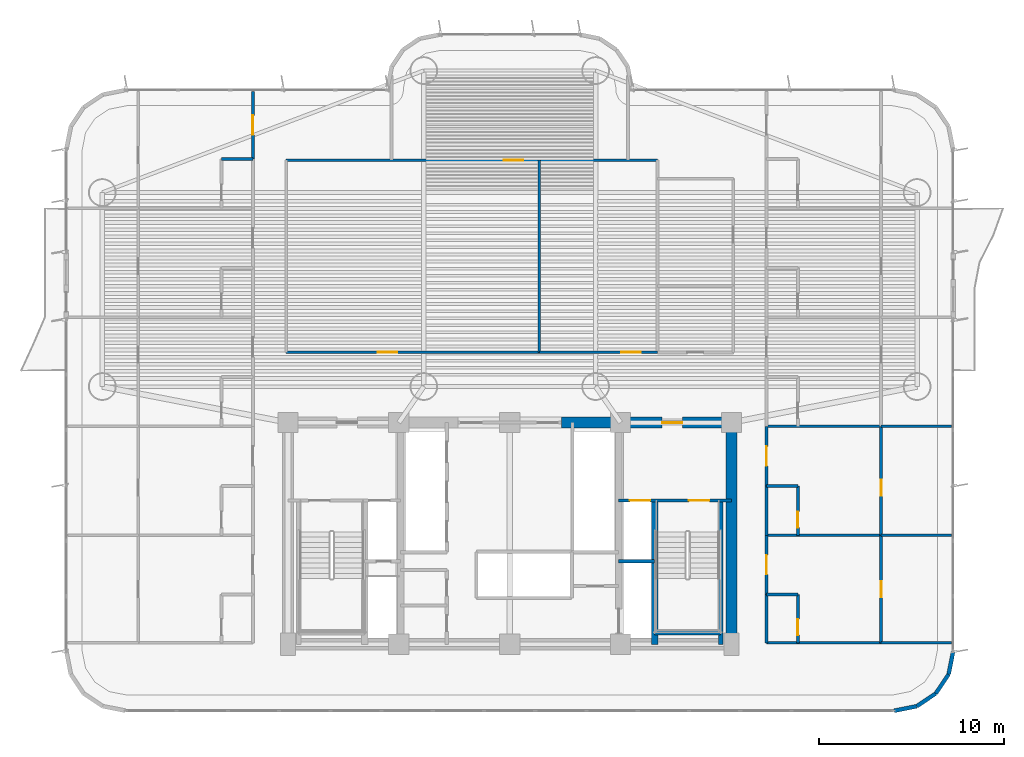
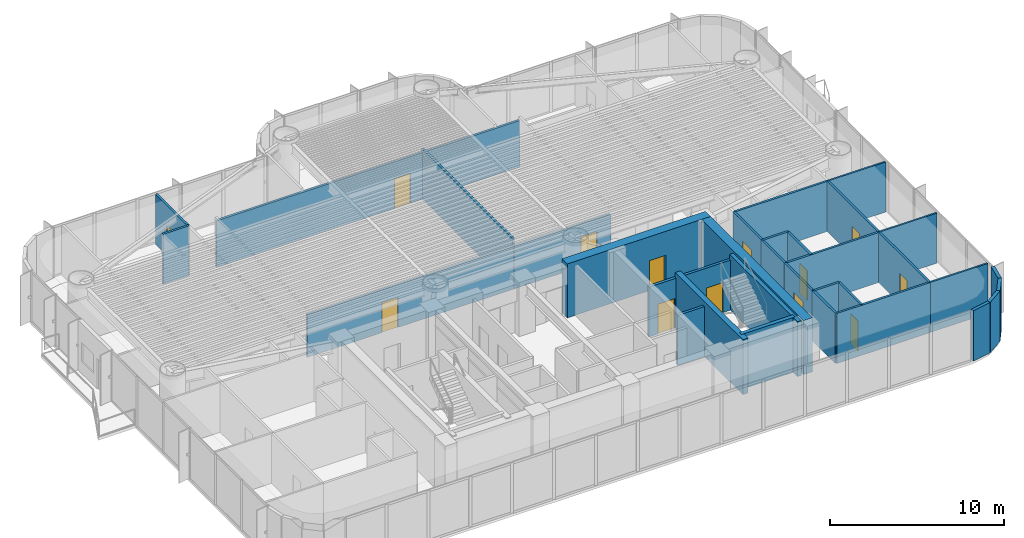
# One storey, part 12 of 18: 33 walls, 13 doors, 13 openings.
"""IFC4 building model written with IfcOpenShell, lengths in metres."""

from ifc_helpers import new_model, si_unit, direction, frame, frame_2d, origin, origin_2d, place, context, subcontext, project, spatial, rectangle, extrude, source, transform, mapped, material, layer, layer_set, type_object, element, fill, save


model = new_model("IFC4")

# Units and contexts
model_context = context("Model", 3, precision=1e-05, world=origin(), true_north=direction((0.0, 1.0)))
body_context = subcontext(model_context, "Body", "Model", "MODEL_VIEW")
ifc_project = project(units=[si_unit("LENGTHUNIT", "METRE"), si_unit("AREAUNIT", "SQUARE_METRE"), si_unit("VOLUMEUNIT", "CUBIC_METRE"), si_unit("PLANEANGLEUNIT", "RADIAN"), si_unit("MASSUNIT", "GRAM", prefix="KILO")], contexts=[model_context])

# Site, building, storey
site_placement = place(None, origin())
site = spatial("IfcSite", under=ifc_project, at=site_placement, CompositionType="ELEMENT")
building_placement = place(site_placement, origin())
building = spatial("IfcBuilding", under=site, at=building_placement, Name="Brelvock Crest Care Tower", CompositionType="ELEMENT")
storey_placement = place(building_placement, frame((0.0, 0.0, 42.1201171875)))
storey = spatial("IfcBuildingStorey", under=building, at=storey_placement, Name="L10", CompositionType="ELEMENT", Elevation=42.1201171875)

# Wall
ifc_material_1 = material(Name="Concrete S80 (80 MPa)", Category="concrete")
ifc_layer_1 = layer(ifc_material_1, 0.60009765625, Name="WL-CS1")
ifc_layer_set_1 = layer_set([ifc_layer_1], Name="Concrete S80 (80 MPa)")
wall_type_1 = type_object("IfcWallType", Name="WL-CS1", PredefinedType="SHEAR", material=ifc_layer_set_1)
wall_1_placement = place(storey_placement, frame((48.0, 18.0, 0.0), z_axis=(0.0, 0.0, 1.0), x_axis=(0.0, -1.0, 0.0)))
element("IfcWall", 1, at=wall_1_placement, inside=storey, type_object=wall_type_1, Name="L10 Core East Shear Wall", PredefinedType="SHEAR", context=body_context, shape_type="SweptSolid", body=[
    extrude(rectangle(XDim=12.0, YDim=0.60009765625, at=frame_2d((6.0, 0.0))), origin(), (0.0, 0.0, 1.0), 3.77978515625),
])

# Wall, opening, door
wall_2_placement = place(storey_placement, frame((38.800048828125, 18.0, 0.0), z_axis=(0.0, 0.0, 1.0), x_axis=(1.0, 0.0, 0.0)))
wall_2 = element("IfcWall", 2, at=wall_2_placement, inside=storey, type_object=wall_type_1, Name="L10 Core North-East Shear Wall", PredefinedType="SHEAR", context=body_context, shape_type="SweptSolid", body=[
    extrude(rectangle(XDim=9.5, YDim=0.60009765625, at=frame_2d((4.75, 0.0))), origin(), (0.0, 0.0, 1.0), 3.77978515625),
])
opening_1_placement = place(wall_2_placement, frame((5.449951171875, 0.0, 0.0)))
opening_1 = element("IfcOpeningElement", 3, at=opening_1_placement, cuts=wall_2, Name="Opening FD-1", PredefinedType="OPENING", context=body_context, shape_type="SweptSolid", body=[
    extrude(rectangle(XDim=1.10009765625, YDim=2.10009765625, at=origin_2d()), frame((0.550048828125, 0.31005859375, 1.050048828125), z_axis=(0.0, -1.0, 0.0), x_axis=(1.0, 0.0, 0.0)), (0.0, 0.0, 1.0), 0.6201171875),
])
ifc_material_2 = material(Name="Steel Grade 350", Category="steel")
door_type_1 = type_object("IfcDoorType", Name="DR-FFL1", OperationType="NOTDEFINED", PredefinedType="DOOR", material=ifc_material_2)
shared_shape_1 = source(origin(), body_context, "Body", "SweptSolid", [
    extrude(rectangle(XDim=1.10009765625, YDim=2.10009765625, at=origin_2d()), frame((0.550048828125, 0.02490234375, 1.050048828125), z_axis=(0.0, -1.0, 0.0), x_axis=(1.0, 0.0, 0.0)), (0.0, 0.0, 1.0), 0.050048828125),
])
door_1_placement = place(opening_1_placement, origin())
door_1 = element("IfcDoor", 4, at=door_1_placement, inside=storey, type_object=door_type_1, Name="L10 Firefighting Lobby FFL-2 Exit Door", OperationType="SINGLE_SWING_RIGHT", OverallHeight=2.10009765625, OverallWidth=1.10009765625, PredefinedType="DOOR", context=body_context, shape_type="MappedRepresentation", body=[
    mapped(shared_shape_1, transform((0.0, 0.0, 0.0), x_axis=(1.0, 0.0, 0.0), y_axis=(0.0, 1.0, 0.0), z_axis=(0.0, 0.0, 1.0), scale=1.0)),
])
fill(opening_1, door_1)

# Walls
ifc_layer_2 = layer(ifc_material_1, 0.35009765625, Name="WL-CS5")
ifc_layer_set_2 = layer_set([ifc_layer_2], Name="Concrete S80 (80 MPa)")
wall_type_2 = type_object("IfcWallType", Name="WL-CS5", PredefinedType="SHEAR", material=ifc_layer_set_2)
wall_3_placement = place(storey_placement, frame((43.85009765625, 6.0, 0.0), z_axis=(0.0, 0.0, 1.0), x_axis=(0.0, 1.0, 0.0)))
element("IfcWall", 5, at=wall_3_placement, inside=storey, type_object=wall_type_2, Name="L10 Core Stair ST-2 West Shear Wall", PredefinedType="SHEAR", context=body_context, shape_type="SweptSolid", body=[
    extrude(rectangle(XDim=7.780029296875, YDim=0.35009765625, at=frame_2d((3.89013671875, 0.0))), origin(), (0.0, 0.0, 1.0), 3.849853515625),
])
ifc_layer_3 = layer(ifc_material_1, 0.25, Name="WL-CS6")
ifc_layer_set_3 = layer_set([ifc_layer_3], Name="Concrete S80 (80 MPa)")
wall_type_3 = type_object("IfcWallType", Name="WL-CS6", PredefinedType="SHEAR", material=ifc_layer_set_3)
wall_4_placement = place(storey_placement, frame((47.419921875, 6.0, 0.0), z_axis=(0.0, 0.0, 1.0), x_axis=(0.0, 1.0, 0.0)))
element("IfcWall", 6, at=wall_4_placement, inside=storey, type_object=wall_type_3, Name="L10 Core Stair ST-2 East Shear Wall", PredefinedType="SHEAR", context=body_context, shape_type="SweptSolid", body=[
    extrude(rectangle(XDim=7.780029296875, YDim=0.25, at=frame_2d((3.89013671875, 0.0))), origin(), (0.0, 0.0, 1.0), 3.849853515625),
])
wall_5_placement = place(storey_placement, frame((43.85009765625, 6.6201171875, 0.0), z_axis=(0.0, 0.0, 1.0), x_axis=(1.0, 0.0, 0.0)))
element("IfcWall", 7, at=wall_5_placement, inside=storey, type_object=wall_type_3, Name="L10 Core Stair ST-2 South Shear Wall", PredefinedType="SHEAR", context=body_context, shape_type="SweptSolid", body=[
    extrude(rectangle(XDim=3.56982421875, YDim=0.25, at=frame_2d((1.784912109375, 0.0))), origin(), (0.0, 0.0, 1.0), 3.849853515625),
])
ifc_material_3 = material(Name="Precast concrete N40 (40 MPa)", Category="concrete")
ifc_layer_4 = layer(ifc_material_3, 0.215087890625, Name="WL-EX2")
ifc_layer_set_4 = layer_set([ifc_layer_4], Name="Precast concrete N40 (40 MPa)")
wall_type_4 = type_object("IfcWallType", Name="WL-EX2", PredefinedType="SOLIDWALL", material=ifc_layer_set_4)
for number, where, z_axis, x_axis, name in (
    (8, (60.0, 5.60009765625, 0.0), (0.0, 0.0, 1.0), (-0.195138390419, -0.980775717779, 0.0), "L10 Rounded Corner Wall 04"),
    (9, (59.75634765625, 4.37548828125, 0.0), (0.0, 0.0, 1.0), (-0.555557312883, -0.831478245117, 0.0), "L10 Rounded Corner Wall 05"),
    (10, (59.062744140625, 3.33740234375, 0.0), (0.0, 0.0, 1.0), (-0.831387912822, -0.555692485475, 0.0), "L10 Rounded Corner Wall 06"),
    (11, (58.024658203125, 2.6435546875, 0.0), (0.0, 0.0, 1.0), (-0.980775717779, -0.195138390419, 0.0), "L10 Rounded Corner Wall 07"),
):
    element("IfcWall", number, at=place(storey_placement, frame(where, z_axis=z_axis, x_axis=x_axis)), inside=storey, type_object=wall_type_4, Name=name, PredefinedType="SOLIDWALL", context=body_context, shape_type="SweptSolid", body=[
        extrude(rectangle(XDim=1.24853515625, YDim=0.215087890625, at=frame_2d((0.624267578125, 0.0))), origin(), (0.0, 0.0, 1.0), 3.52978515625),
    ])
ifc_material_4 = material(Name="Masonry Blockwork Acoustic Partition", Category="masonry")
ifc_layer_5 = layer(ifc_material_4, 0.14990234375, Name="WL-INT1")
ifc_layer_set_5 = layer_set([ifc_layer_5], Name="Masonry Blockwork Acoustic Partition")
wall_type_5 = type_object("IfcWallType", Name="WL-INT1", PredefinedType="PARTITIONING", material=ifc_layer_set_5)
for number, where, z_axis, x_axis, name in (
    (12, (49.89990234375, 6.080078125, 0.0), (0.0, 0.0, 1.0), (1.0, 0.0, 0.0), "L10 Interior Wall WL-BX-L10-CS-EC1-S"),
    (13, (49.89990234375, 11.89990234375, 0.0), (0.0, 0.0, 1.0), (1.0, 0.0, 0.0), "L10 Interior Wall WL-BX-L10-CS-EC1-N"),
    (14, (49.89990234375, 17.800048828125, 0.0), (0.0, 0.0, 1.0), (1.0, 0.0, 0.0), "L10 Interior Wall WL-BX-L10-CS-EC2-N"),
):
    element("IfcWall", number, at=place(storey_placement, frame(where, z_axis=z_axis, x_axis=x_axis)), inside=storey, type_object=wall_type_5, Name=name, PredefinedType="PARTITIONING", context=body_context, shape_type="SweptSolid", body=[
        extrude(rectangle(XDim=6.2001953125, YDim=0.14990234375, at=frame_2d((3.10009765625, 0.0))), origin(), (0.0, 0.0, 1.0), 3.5),
    ])

# Wall, opening, door
wall_6_placement = place(storey_placement, frame((23.89990234375, 21.800048828125, 0.0), z_axis=(0.0, 0.0, 1.0), x_axis=(1.0, 0.0, 0.0)))
wall_6 = element("IfcWall", 15, at=wall_6_placement, inside=storey, type_object=wall_type_5, Name="L10 Interior Wall WL-RM-L10-CNW", PredefinedType="PARTITIONING", context=body_context, shape_type="SweptSolid", body=[
    extrude(rectangle(XDim=13.7001953125, YDim=0.14990234375, at=frame_2d((6.85009765625, 0.0))), origin(), (0.0, 0.0, 1.0), 2.98193359375),
])
opening_2_placement = place(wall_6_placement, frame((4.955078125, 0.0, 0.0)))
opening_2 = element("IfcOpeningElement", 16, at=opening_2_placement, cuts=wall_6, Name="Opening CLD-1", PredefinedType="OPENING", context=body_context, shape_type="SweptSolid", body=[
    extrude(rectangle(XDim=1.050048828125, YDim=2.10009765625, at=origin_2d()), frame((0.52490234375, 0.0849609375, 1.050048828125), z_axis=(0.0, -1.0, 0.0), x_axis=(1.0, 0.0, 0.0)), (0.0, 0.0, 1.0), 0.169921875),
])
ifc_material_5 = material(Name="Engineered Hardwood Timber", Category="wood")
door_type_2 = type_object("IfcDoorType", Name="DR-CLN1", OperationType="NOTDEFINED", PredefinedType="DOOR", material=ifc_material_5)
shared_shape_2 = source(origin(), body_context, "Body", "SweptSolid", [
    extrude(rectangle(XDim=1.050048828125, YDim=2.10009765625, at=origin_2d()), frame((0.52490234375, 0.02490234375, 1.050048828125), z_axis=(0.0, -1.0, 0.0), x_axis=(1.0, 0.0, 0.0)), (0.0, 0.0, 1.0), 0.050048828125),
])
door_2_placement = place(opening_2_placement, origin())
door_2 = element("IfcDoor", 17, at=door_2_placement, inside=storey, type_object=door_type_2, Name="L10 Communal Dining Conservatory Door CNW", OperationType="SINGLE_SWING_LEFT", OverallHeight=2.10009765625, OverallWidth=1.050048828125, PredefinedType="DOOR", context=body_context, shape_type="MappedRepresentation", body=[
    mapped(shared_shape_2, transform((0.0, 0.0, 0.0), x_axis=(1.0, 0.0, 0.0), y_axis=(0.0, 1.0, 0.0), z_axis=(0.0, 0.0, 1.0), scale=1.0)),
])
fill(opening_2, door_2)

wall_7_placement = place(storey_placement, frame((37.60009765625, 21.800048828125, 0.0), z_axis=(0.0, 0.0, 1.0), x_axis=(1.0, 0.0, 0.0)))
wall_7 = element("IfcWall", 18, at=wall_7_placement, inside=storey, type_object=wall_type_5, Name="L10 Interior Wall WL-RM-L10-CNE", PredefinedType="PARTITIONING", context=body_context, shape_type="SweptSolid", body=[
    extrude(rectangle(XDim=6.39990234375, YDim=0.14990234375, at=frame_2d((3.199951171875, 0.0))), origin(), (0.0, 0.0, 1.0), 2.98193359375),
])
opening_3_placement = place(wall_7_placement, frame((4.43505859375, 0.0, 0.0)))
opening_3 = element("IfcOpeningElement", 19, at=opening_3_placement, cuts=wall_7, Name="Opening CLD-1", PredefinedType="OPENING", context=body_context, shape_type="SweptSolid", body=[
    extrude(rectangle(XDim=1.050048828125, YDim=2.10009765625, at=origin_2d()), frame((0.52490234375, 0.0849609375, 1.050048828125), z_axis=(0.0, -1.0, 0.0), x_axis=(1.0, 0.0, 0.0)), (0.0, 0.0, 1.0), 0.169921875),
])
door_3_placement = place(opening_3_placement, origin())
door_3 = element("IfcDoor", 20, at=door_3_placement, inside=storey, type_object=door_type_2, Name="L10 Geriatric Nurse Consultation Hub Door CNE", OperationType="SINGLE_SWING_LEFT", OverallHeight=2.10009765625, OverallWidth=1.050048828125, PredefinedType="DOOR", context=body_context, shape_type="MappedRepresentation", body=[
    mapped(shared_shape_2, transform((0.0, 0.0, 0.0), x_axis=(1.0, 0.0, 0.0), y_axis=(0.0, 1.0, 0.0), z_axis=(0.0, 0.0, 1.0), scale=1.0)),
])
fill(opening_3, door_3)

wall_8_placement = place(storey_placement, frame((23.89990234375, 32.199951171875, 0.0), z_axis=(0.0, 0.0, 1.0), x_axis=(1.0, 0.0, 0.0)))
wall_8 = element("IfcWall", 21, at=wall_8_placement, inside=storey, type_object=wall_type_5, Name="L10 Interior Wall WL-RM-L10-NHUB", PredefinedType="PARTITIONING", context=body_context, shape_type="SweptSolid", body=[
    extrude(rectangle(XDim=20.10009765625, YDim=0.14990234375, at=frame_2d((10.050048828125, 0.0))), origin(), (0.0, 0.0, 1.0), 3.2587890625),
])
opening_4_placement = place(wall_8_placement, frame((11.77490234375, 0.0, 0.0)))
opening_4 = element("IfcOpeningElement", 22, at=opening_4_placement, cuts=wall_8, Name="Opening CLD-1", PredefinedType="OPENING", context=body_context, shape_type="SweptSolid", body=[
    extrude(rectangle(XDim=1.050048828125, YDim=2.10009765625, at=origin_2d()), frame((0.52490234375, 0.0849609375, 1.050048828125), z_axis=(0.0, -1.0, 0.0), x_axis=(1.0, 0.0, 0.0)), (0.0, 0.0, 1.0), 0.169921875),
])
door_4_placement = place(opening_4_placement, origin())
door_4 = element("IfcDoor", 23, at=door_4_placement, inside=storey, type_object=door_type_2, Name="L10 Harbour Wintergarden Lounge Door NHUB", OperationType="SINGLE_SWING_LEFT", OverallHeight=2.10009765625, OverallWidth=1.050048828125, PredefinedType="DOOR", context=body_context, shape_type="MappedRepresentation", body=[
    mapped(shared_shape_2, transform((0.0, 0.0, 0.0), x_axis=(1.0, 0.0, 0.0), y_axis=(0.0, 1.0, 0.0), z_axis=(0.0, 0.0, 1.0), scale=1.0)),
])
fill(opening_4, door_4)

wall_9_placement = place(storey_placement, frame((22.10009765625, 32.263916015625, 0.0), z_axis=(0.0, 0.0, 1.0), x_axis=(0.0, 1.0, 0.0)))
wall_9 = element("IfcWall", 24, at=wall_9_placement, inside=storey, type_object=wall_type_5, Name="L10 Interior Wall WL-CENT-L10-WC5", PredefinedType="PARTITIONING", context=body_context, shape_type="SweptSolid", body=[
    extrude(rectangle(XDim=3.65673828125, YDim=0.14990234375, at=frame_2d((1.828369140625, 0.0))), origin(), (0.0, 0.0, 1.0), 3.5),
])
opening_5_placement = place(wall_9_placement, frame((1.30810546875, 0.0, 0.0)))
opening_5 = element("IfcOpeningElement", 25, at=opening_5_placement, cuts=wall_9, Name="Opening CD-1", PredefinedType="OPENING", context=body_context, shape_type="SweptSolid", body=[
    extrude(rectangle(XDim=1.050048828125, YDim=2.10009765625, at=origin_2d()), frame((0.52490234375, 0.0849609375, 1.050048828125), z_axis=(0.0, -1.0, 0.0), x_axis=(1.0, 0.0, 0.0)), (0.0, 0.0, 1.0), 0.169921875),
])
door_type_3 = type_object("IfcDoorType", Name="DR-CARE1", OperationType="NOTDEFINED", PredefinedType="DOOR", material=ifc_material_5)
shared_shape_3 = source(origin(), body_context, "Body", "SweptSolid", [
    extrude(rectangle(XDim=1.050048828125, YDim=2.10009765625, at=origin_2d()), frame((0.52490234375, 0.02490234375, 1.050048828125), z_axis=(0.0, -1.0, 0.0), x_axis=(1.0, 0.0, 0.0)), (0.0, 0.0, 1.0), 0.050048828125),
])
door_5_placement = place(opening_5_placement, origin())
door_5 = element("IfcDoor", 26, at=door_5_placement, inside=storey, type_object=door_type_3, Name="L10 Care Suite Door WC5", OperationType="SINGLE_SWING_LEFT", OverallHeight=2.10009765625, OverallWidth=1.050048828125, PredefinedType="DOOR", context=body_context, shape_type="MappedRepresentation", body=[
    mapped(shared_shape_3, transform((0.0, 0.0, 0.0), x_axis=(1.0, 0.0, 0.0), y_axis=(0.0, 1.0, 0.0), z_axis=(0.0, 0.0, 1.0), scale=1.0)),
])
fill(opening_5, door_5)

# Wall
wall_10_placement = place(storey_placement, frame((37.60009765625, 21.800048828125, 0.0), z_axis=(0.0, 0.0, 1.0), x_axis=(0.0, 1.0, 0.0)))
element("IfcWall", 27, at=wall_10_placement, inside=storey, type_object=wall_type_5, Name="L10 Interior Wall WL-BX-L10-CNE-W", PredefinedType="PARTITIONING", context=body_context, shape_type="SweptSolid", body=[
    extrude(rectangle(XDim=10.39990234375, YDim=0.14990234375, at=frame_2d((5.199951171875, 0.0))), origin(), (0.0, 0.0, 1.0), 3.5),
])

# Wall, opening, door
wall_11_placement = place(storey_placement, frame((49.89990234375, 8.698974609375, 0.0), z_axis=(0.0, 0.0, 1.0), x_axis=(0.0, 1.0, 0.0)))
wall_11 = element("IfcWall", 28, at=wall_11_placement, inside=storey, type_object=wall_type_5, Name="L10 Interior Wall WL-CENT-L10-EC1", PredefinedType="PARTITIONING", context=body_context, shape_type="SweptSolid", body=[
    extrude(rectangle(XDim=3.200927734375, YDim=0.14990234375, at=frame_2d((1.6005859375, 0.0))), origin(), (0.0, 0.0, 1.0), 3.5),
])
opening_6_placement = place(wall_11_placement, frame((1.0810546875, 0.0, 0.0)))
opening_6 = element("IfcOpeningElement", 29, at=opening_6_placement, cuts=wall_11, Name="Opening CD-1", PredefinedType="OPENING", context=body_context, shape_type="SweptSolid", body=[
    extrude(rectangle(XDim=1.050048828125, YDim=2.10009765625, at=origin_2d()), frame((0.52490234375, 0.0849609375, 1.050048828125), z_axis=(0.0, -1.0, 0.0), x_axis=(1.0, 0.0, 0.0)), (0.0, 0.0, 1.0), 0.169921875),
])
door_6_placement = place(opening_6_placement, origin())
door_6 = element("IfcDoor", 30, at=door_6_placement, inside=storey, type_object=door_type_3, Name="L10 Care Suite Door EC1", OperationType="SINGLE_SWING_LEFT", OverallHeight=2.10009765625, OverallWidth=1.050048828125, PredefinedType="DOOR", context=body_context, shape_type="MappedRepresentation", body=[
    mapped(shared_shape_3, transform((0.0, 0.0, 0.0), x_axis=(1.0, 0.0, 0.0), y_axis=(0.0, 1.0, 0.0), z_axis=(0.0, 0.0, 1.0), scale=1.0)),
])
fill(opening_6, door_6)

wall_12_placement = place(storey_placement, frame((49.89990234375, 14.554931640625, 0.0), z_axis=(0.0, 0.0, 1.0), x_axis=(0.0, 1.0, 0.0)))
wall_12 = element("IfcWall", 31, at=wall_12_placement, inside=storey, type_object=wall_type_5, Name="L10 Interior Wall WL-CENT-L10-EC2", PredefinedType="PARTITIONING", context=body_context, shape_type="SweptSolid", body=[
    extrude(rectangle(XDim=3.2451171875, YDim=0.14990234375, at=frame_2d((1.62255859375, 0.0))), origin(), (0.0, 0.0, 1.0), 3.5),
])
opening_7_placement = place(wall_12_placement, frame((1.10302734375, 0.0, 0.0)))
opening_7 = element("IfcOpeningElement", 32, at=opening_7_placement, cuts=wall_12, Name="Opening CD-1", PredefinedType="OPENING", context=body_context, shape_type="SweptSolid", body=[
    extrude(rectangle(XDim=1.050048828125, YDim=2.10009765625, at=origin_2d()), frame((0.52490234375, 0.0849609375, 1.050048828125), z_axis=(0.0, -1.0, 0.0), x_axis=(1.0, 0.0, 0.0)), (0.0, 0.0, 1.0), 0.169921875),
])
door_7_placement = place(opening_7_placement, origin())
door_7 = element("IfcDoor", 33, at=door_7_placement, inside=storey, type_object=door_type_3, Name="L10 Care Suite Door EC2", OperationType="SINGLE_SWING_LEFT", OverallHeight=2.10009765625, OverallWidth=1.050048828125, PredefinedType="DOOR", context=body_context, shape_type="MappedRepresentation", body=[
    mapped(shared_shape_3, transform((0.0, 0.0, 0.0), x_axis=(1.0, 0.0, 0.0), y_axis=(0.0, 1.0, 0.0), z_axis=(0.0, 0.0, 1.0), scale=1.0)),
])
fill(opening_7, door_7)

wall_13_placement = place(storey_placement, frame((56.10009765625, 6.080078125, 0.0), z_axis=(0.0, 0.0, 1.0), x_axis=(0.0, 1.0, 0.0)))
wall_13 = element("IfcWall", 34, at=wall_13_placement, inside=storey, type_object=wall_type_5, Name="L10 Interior Wall WL-RM-L10-EC1S", PredefinedType="PARTITIONING", context=body_context, shape_type="SweptSolid", body=[
    extrude(rectangle(XDim=5.81982421875, YDim=0.14990234375, at=frame_2d((2.909912109375, 0.0))), origin(), (0.0, 0.0, 1.0), 3.5),
])
opening_8_placement = place(wall_13_placement, frame((2.4599609375, 0.0, 0.0)))
opening_8 = element("IfcOpeningElement", 35, at=opening_8_placement, cuts=wall_13, Name="Opening ID-1", PredefinedType="OPENING", context=body_context, shape_type="SweptSolid", body=[
    extrude(rectangle(XDim=0.860107421875, YDim=2.10009765625, at=origin_2d()), frame((0.43017578125, 0.0849609375, 1.050048828125), z_axis=(0.0, -1.0, 0.0), x_axis=(1.0, 0.0, 0.0)), (0.0, 0.0, 1.0), 0.169921875),
])
door_type_4 = type_object("IfcDoorType", Name="DR-INT1", OperationType="NOTDEFINED", PredefinedType="DOOR", material=ifc_material_5)
shared_shape_4 = source(origin(), body_context, "Body", "SweptSolid", [
    extrude(rectangle(XDim=0.860107421875, YDim=2.10009765625, at=origin_2d()), frame((0.43017578125, 0.02490234375, 1.050048828125), z_axis=(0.0, -1.0, 0.0), x_axis=(1.0, 0.0, 0.0)), (0.0, 0.0, 1.0), 0.050048828125),
])
door_8_placement = place(opening_8_placement, origin())
door_8 = element("IfcDoor", 36, at=door_8_placement, inside=storey, type_object=door_type_4, Name="L10 Assisted Care Mobility Store Door EC1S", OperationType="SINGLE_SWING_LEFT", OverallHeight=2.10009765625, OverallWidth=0.860107421875, PredefinedType="DOOR", context=body_context, shape_type="MappedRepresentation", body=[
    mapped(shared_shape_4, transform((0.0, 0.0, 0.0), x_axis=(1.0, 0.0, 0.0), y_axis=(0.0, 1.0, 0.0), z_axis=(0.0, 0.0, 1.0), scale=1.0)),
])
fill(opening_8, door_8)

wall_14_placement = place(storey_placement, frame((56.10009765625, 11.89990234375, 0.0), z_axis=(0.0, 0.0, 1.0), x_axis=(0.0, 1.0, 0.0)))
wall_14 = element("IfcWall", 37, at=wall_14_placement, inside=storey, type_object=wall_type_5, Name="L10 Interior Wall WL-RM-L10-EC2S", PredefinedType="PARTITIONING", context=body_context, shape_type="SweptSolid", body=[
    extrude(rectangle(XDim=5.900146484375, YDim=0.14990234375, at=frame_2d((2.9501953125, 0.0))), origin(), (0.0, 0.0, 1.0), 3.5),
])
opening_9_placement = place(wall_14_placement, frame((2.139892578125, 0.0, 0.0)))
opening_9 = element("IfcOpeningElement", 38, at=opening_9_placement, cuts=wall_14, Name="Opening ID-1", PredefinedType="OPENING", context=body_context, shape_type="SweptSolid", body=[
    extrude(rectangle(XDim=0.860107421875, YDim=2.10009765625, at=origin_2d()), frame((0.43017578125, 0.0849609375, 1.050048828125), z_axis=(0.0, -1.0, 0.0), x_axis=(1.0, 0.0, 0.0)), (0.0, 0.0, 1.0), 0.169921875),
])
door_9_placement = place(opening_9_placement, origin())
door_9 = element("IfcDoor", 39, at=door_9_placement, inside=storey, type_object=door_type_4, Name="L10 Assisted Care Mobility Store Door EC2S", OperationType="SINGLE_SWING_LEFT", OverallHeight=2.10009765625, OverallWidth=0.860107421875, PredefinedType="DOOR", context=body_context, shape_type="MappedRepresentation", body=[
    mapped(shared_shape_4, transform((0.0, 0.0, 0.0), x_axis=(1.0, 0.0, 0.0), y_axis=(0.0, 1.0, 0.0), z_axis=(0.0, 0.0, 1.0), scale=1.0)),
])
fill(opening_9, door_9)

# Walls
ifc_material_6 = material(Name="Gypsum Plasterboard Partition", Category="gypsum")
ifc_layer_6 = layer(ifc_material_6, 0.1201171875, Name="WL-INT2")
ifc_layer_set_6 = layer_set([ifc_layer_6], Name="Gypsum Plasterboard Partition")
wall_type_6 = type_object("IfcWallType", Name="WL-INT2", PredefinedType="PARTITIONING", material=ifc_layer_set_6)
for number, where, z_axis, x_axis, name in (
    (40, (56.10009765625, 6.080078125, 0.0), (0.0, 0.0, 1.0), (1.0, 0.0, 0.0), "L10 Interior Wall WL-BX-L10-EC1S-S"),
    (41, (56.10009765625, 11.89990234375, 0.0), (0.0, 0.0, 1.0), (1.0, 0.0, 0.0), "L10 Interior Wall WL-BX-L10-EC1S-N"),
    (42, (56.10009765625, 17.800048828125, 0.0), (0.0, 0.0, 1.0), (1.0, 0.0, 0.0), "L10 Interior Wall WL-BX-L10-EC2S-N"),
):
    element("IfcWall", number, at=place(storey_placement, frame(where, z_axis=z_axis, x_axis=x_axis)), inside=storey, type_object=wall_type_6, Name=name, PredefinedType="PARTITIONING", context=body_context, shape_type="SweptSolid", body=[
        extrude(rectangle(XDim=3.81982421875, YDim=0.1201171875, at=frame_2d((1.909912109375, 0.0))), origin(), (0.0, 0.0, 1.0), 3.5),
    ])
ifc_layer_7 = layer(ifc_material_6, 0.159912109375, Name="WL-PLM1")
ifc_layer_set_7 = layer_set([ifc_layer_7], Name="Gypsum Plasterboard Partition")
wall_type_7 = type_object("IfcWallType", Name="WL-PLM1", PredefinedType="PLUMBINGWALL", material=ifc_layer_set_7)
for number, where, z_axis, x_axis, name in (
    (43, (49.89990234375, 8.698974609375, 0.0), (0.0, 0.0, 1.0), (1.0, 0.0, 0.0), "L10 Interior Wall WL-CENS2-L10-EC1"),
    (44, (49.89990234375, 14.554931640625, 0.0), (0.0, 0.0, 1.0), (1.0, 0.0, 0.0), "L10 Interior Wall WL-CENS2-L10-EC2"),
    (45, (20.39990234375, 32.263916015625, 0.0), (0.0, 0.0, 1.0), (1.0, 0.0, 0.0), "L10 Interior Wall WL-CENS2-L10-WC5"),
):
    element("IfcWall", number, at=place(storey_placement, frame(where, z_axis=z_axis, x_axis=x_axis)), inside=storey, type_object=wall_type_7, Name=name, PredefinedType="PLUMBINGWALL", context=body_context, shape_type="SweptSolid", body=[
        extrude(rectangle(XDim=1.7001953125, YDim=0.159912109375, at=frame_2d((0.85009765625, 0.0))), origin(), (0.0, 0.0, 1.0), 3.5),
    ])
wall_15_placement = place(storey_placement, frame((49.89990234375, 6.080078125, 0.0), z_axis=(0.0, 0.0, 1.0), x_axis=(0.0, 1.0, 0.0)))
element("IfcWall", 46, at=wall_15_placement, inside=storey, type_object=wall_type_7, Name="L10 Interior Wall WL-CENS0-L10-EC1", PredefinedType="PLUMBINGWALL", context=body_context, shape_type="SweptSolid", body=[
    extrude(rectangle(XDim=2.618896484375, YDim=0.159912109375, at=frame_2d((1.3095703125, 0.0))), origin(), (0.0, 0.0, 1.0), 3.5),
])
wall_16_placement = place(storey_placement, frame((49.89990234375, 11.89990234375, 0.0), z_axis=(0.0, 0.0, 1.0), x_axis=(0.0, 1.0, 0.0)))
element("IfcWall", 47, at=wall_16_placement, inside=storey, type_object=wall_type_7, Name="L10 Interior Wall WL-CENS0-L10-EC2", PredefinedType="PLUMBINGWALL", context=body_context, shape_type="SweptSolid", body=[
    extrude(rectangle(XDim=2.655029296875, YDim=0.159912109375, at=frame_2d((1.32763671875, 0.0))), origin(), (0.0, 0.0, 1.0), 3.5),
])

# Wall, opening, door
wall_17_placement = place(storey_placement, frame((51.60009765625, 6.080078125, 0.0), z_axis=(0.0, 0.0, 1.0), x_axis=(0.0, 1.0, 0.0)))
wall_17 = element("IfcWall", 48, at=wall_17_placement, inside=storey, type_object=wall_type_7, Name="L10 Interior Wall WL-CENS1-L10-EC1", PredefinedType="PLUMBINGWALL", context=body_context, shape_type="SweptSolid", body=[
    extrude(rectangle(XDim=2.618896484375, YDim=0.159912109375, at=frame_2d((1.3095703125, 0.0))), origin(), (0.0, 0.0, 1.0), 3.5),
])
opening_10_placement = place(wall_17_placement, frame((0.419921875, 0.0, 0.0)))
opening_10 = element("IfcOpeningElement", 49, at=opening_10_placement, cuts=wall_17, Name="Opening WD-1", PredefinedType="OPENING", context=body_context, shape_type="SweptSolid", body=[
    extrude(rectangle(XDim=0.860107421875, YDim=2.10009765625, at=origin_2d()), frame((0.43017578125, 0.08984375, 1.050048828125), z_axis=(0.0, -1.0, 0.0), x_axis=(1.0, 0.0, 0.0)), (0.0, 0.0, 1.0), 0.179931640625),
])
door_type_5 = type_object("IfcDoorType", Name="DR-WC1", OperationType="NOTDEFINED", PredefinedType="DOOR", material=ifc_material_5)
shared_shape_5 = source(origin(), body_context, "Body", "SweptSolid", [
    extrude(rectangle(XDim=0.860107421875, YDim=2.10009765625, at=origin_2d()), frame((0.43017578125, 0.02490234375, 1.050048828125), z_axis=(0.0, -1.0, 0.0), x_axis=(1.0, 0.0, 0.0)), (0.0, 0.0, 1.0), 0.050048828125),
])
door_10_placement = place(opening_10_placement, origin())
door_10 = element("IfcDoor", 50, at=door_10_placement, inside=storey, type_object=door_type_5, Name="L10 Care En-Suite Door EC1", OperationType="SINGLE_SWING_RIGHT", OverallHeight=2.10009765625, OverallWidth=0.860107421875, PredefinedType="DOOR", context=body_context, shape_type="MappedRepresentation", body=[
    mapped(shared_shape_5, transform((0.0, 0.0, 0.0), x_axis=(1.0, 0.0, 0.0), y_axis=(0.0, 1.0, 0.0), z_axis=(0.0, 0.0, 1.0), scale=1.0)),
])
fill(opening_10, door_10)

wall_18_placement = place(storey_placement, frame((51.60009765625, 11.89990234375, 0.0), z_axis=(0.0, 0.0, 1.0), x_axis=(0.0, 1.0, 0.0)))
wall_18 = element("IfcWall", 51, at=wall_18_placement, inside=storey, type_object=wall_type_7, Name="L10 Interior Wall WL-CENS1-L10-EC2", PredefinedType="PLUMBINGWALL", context=body_context, shape_type="SweptSolid", body=[
    extrude(rectangle(XDim=2.655029296875, YDim=0.159912109375, at=frame_2d((1.32763671875, 0.0))), origin(), (0.0, 0.0, 1.0), 3.5),
])
opening_11_placement = place(wall_18_placement, frame((0.419921875, 0.0, 0.0)))
opening_11 = element("IfcOpeningElement", 52, at=opening_11_placement, cuts=wall_18, Name="Opening WD-1", PredefinedType="OPENING", context=body_context, shape_type="SweptSolid", body=[
    extrude(rectangle(XDim=0.860107421875, YDim=2.10009765625, at=origin_2d()), frame((0.43017578125, 0.08984375, 1.050048828125), z_axis=(0.0, -1.0, 0.0), x_axis=(1.0, 0.0, 0.0)), (0.0, 0.0, 1.0), 0.179931640625),
])
door_11_placement = place(opening_11_placement, origin())
door_11 = element("IfcDoor", 53, at=door_11_placement, inside=storey, type_object=door_type_5, Name="L10 Care En-Suite Door EC2", OperationType="SINGLE_SWING_RIGHT", OverallHeight=2.10009765625, OverallWidth=0.860107421875, PredefinedType="DOOR", context=body_context, shape_type="MappedRepresentation", body=[
    mapped(shared_shape_5, transform((0.0, 0.0, 0.0), x_axis=(1.0, 0.0, 0.0), y_axis=(0.0, 1.0, 0.0), z_axis=(0.0, 0.0, 1.0), scale=1.0)),
])
fill(opening_11, door_11)

# Wall, openings, doors
ifc_layer_8 = layer(ifc_material_4, 0.179931640625, Name="WL-SHF1")
ifc_layer_set_8 = layer_set([ifc_layer_8], Name="Masonry Blockwork Acoustic Partition")
wall_type_8 = type_object("IfcWallType", Name="WL-SHF1", PredefinedType="PARTITIONING", material=ifc_layer_set_8)
wall_19_placement = place(storey_placement, frame((41.89990234375, 13.780029296875, 0.0), z_axis=(0.0, 0.0, 1.0), x_axis=(1.0, 0.0, 0.0)))
wall_19 = element("IfcWall", 54, at=wall_19_placement, inside=storey, type_object=wall_type_8, Name="L10 Interior Wall WL-ST2-N-L10", PredefinedType="PARTITIONING", context=body_context, shape_type="SweptSolid", body=[
    extrude(rectangle(XDim=6.10009765625, YDim=0.179931640625, at=frame_2d((3.050048828125, 0.0))), origin(), (0.0, 0.0, 1.0), 3.5),
])
opening_12_placement = place(wall_19_placement, frame((0.60009765625, 0.0, 0.0)))
opening_12 = element("IfcOpeningElement", 55, at=opening_12_placement, cuts=wall_19, Name="Opening LD", PredefinedType="OPENING", context=body_context, shape_type="SweptSolid", body=[
    extrude(rectangle(XDim=1.10009765625, YDim=2.10009765625, at=origin_2d()), frame((0.550048828125, 0.10009765625, 1.050048828125), z_axis=(0.0, -1.0, 0.0), x_axis=(1.0, 0.0, 0.0)), (0.0, 0.0, 1.0), 0.199951171875),
])
opening_13_placement = place(wall_19_placement, frame((3.800048828125, 0.0, 0.0)))
opening_13 = element("IfcOpeningElement", 56, at=opening_13_placement, cuts=wall_19, Name="Opening SD-1", PredefinedType="OPENING", context=body_context, shape_type="SweptSolid", body=[
    extrude(rectangle(XDim=1.10009765625, YDim=2.10009765625, at=origin_2d()), frame((0.550048828125, 0.10009765625, 1.050048828125), z_axis=(0.0, -1.0, 0.0), x_axis=(1.0, 0.0, 0.0)), (0.0, 0.0, 1.0), 0.199951171875),
])
door_type_6 = type_object("IfcDoorType", Name="DR-ST1", OperationType="NOTDEFINED", PredefinedType="DOOR", material=ifc_material_2)
shared_shape_6 = source(origin(), body_context, "Body", "SweptSolid", [
    extrude(rectangle(XDim=1.10009765625, YDim=2.10009765625, at=origin_2d()), frame((0.550048828125, 0.02490234375, 1.050048828125), z_axis=(0.0, -1.0, 0.0), x_axis=(1.0, 0.0, 0.0)), (0.0, 0.0, 1.0), 0.050048828125),
])
door_12_placement = place(opening_13_placement, origin())
door_12 = element("IfcDoor", 57, at=door_12_placement, inside=storey, type_object=door_type_6, Name="L10 Fire Stair ST-2 Door", OperationType="SINGLE_SWING_RIGHT", OverallHeight=2.10009765625, OverallWidth=1.10009765625, PredefinedType="DOOR", context=body_context, shape_type="MappedRepresentation", body=[
    mapped(shared_shape_6, transform((0.0, 0.0, 0.0), x_axis=(1.0, 0.0, 0.0), y_axis=(0.0, 1.0, 0.0), z_axis=(0.0, 0.0, 1.0), scale=1.0)),
])
fill(opening_13, door_12)
door_type_7 = type_object("IfcDoorType", Name="DR-LD1", OperationType="NOTDEFINED", PredefinedType="DOOR", material=ifc_material_2)
shared_shape_7 = source(origin(), body_context, "Body", "SweptSolid", [
    extrude(rectangle(XDim=1.10009765625, YDim=2.10009765625, at=origin_2d()), frame((0.550048828125, 0.02490234375, 1.050048828125), z_axis=(0.0, -1.0, 0.0), x_axis=(1.0, 0.0, 0.0)), (0.0, 0.0, 1.0), 0.050048828125),
])
door_13_placement = place(opening_12_placement, origin())
door_13 = element("IfcDoor", 58, at=door_13_placement, inside=storey, type_object=door_type_7, Name="L10 Firefighting Lift FFL-2 Landing Door", OperationType="SLIDING_TO_RIGHT", OverallHeight=2.10009765625, OverallWidth=1.10009765625, PredefinedType="DOOR", context=body_context, shape_type="MappedRepresentation", body=[
    mapped(shared_shape_7, transform((0.0, 0.0, 0.0), x_axis=(1.0, 0.0, 0.0), y_axis=(0.0, 1.0, 0.0), z_axis=(0.0, 0.0, 1.0), scale=1.0)),
])
fill(opening_12, door_13)

# Wall
wall_20_placement = place(storey_placement, frame((41.89990234375, 10.5, 0.0), z_axis=(0.0, 0.0, 1.0), x_axis=(1.0, 0.0, 0.0)))
element("IfcWall", 59, at=wall_20_placement, inside=storey, type_object=wall_type_8, Name="L10 Interior Wall WL-FFH2-S-L10", PredefinedType="PARTITIONING", context=body_context, shape_type="SweptSolid", body=[
    extrude(rectangle(XDim=1.9501953125, YDim=0.179931640625, at=frame_2d((0.97509765625, 0.0))), origin(), (0.0, 0.0, 1.0), 3.5),
])

save(model, "model.ifc")
